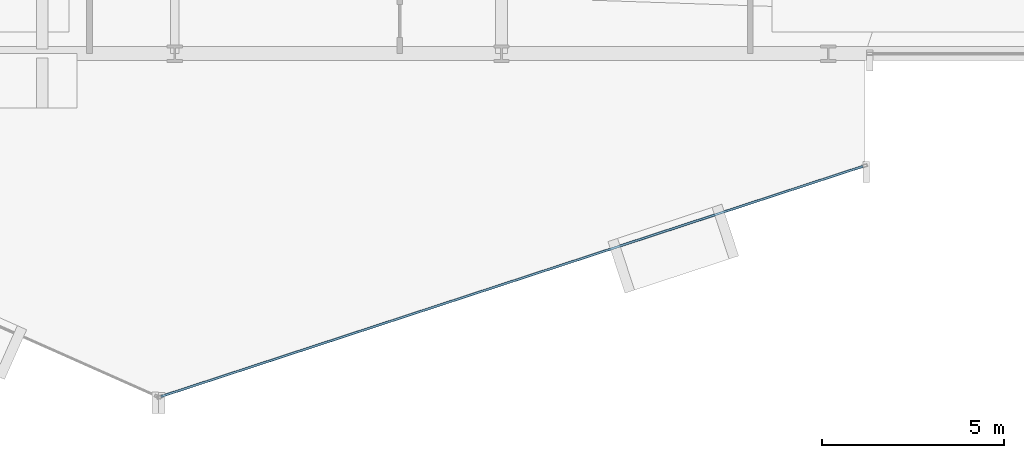
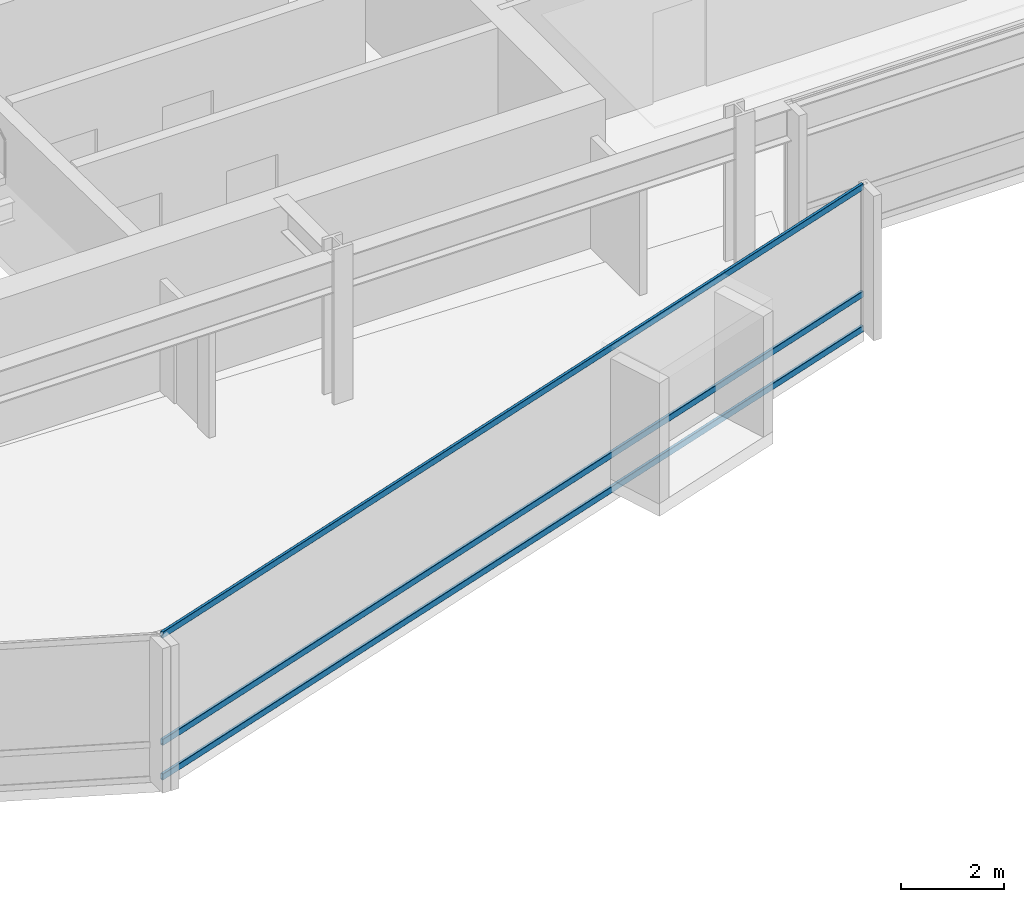
# One storey, part 9 of 34: 3 members, 1 element without a shape of its own.
"""IFC4 building model written with IfcOpenShell, lengths in metres."""

import ifcopenshell
import ifcopenshell.guid

model = None  # the IFC model being written
_history = None  # IfcOwnerHistory: only IFC2X3 demands one
_inside = {}  # id of a spatial element -> (the spatial element, [elements in it])
_under = {}  # id of a project, library or spatial element -> (it, [spatial elements below it])
_declared = {}  # id of a project -> (the project, [libraries it declares])
_typed = {}  # id of a type object -> (the type object, [elements of that type])
_made_of = {}  # id of a material, layer set ... -> (it, [elements and type objects made of it])


def new_model(schema):
    """Start an empty IFC model of exactly this schema.

    Asked for "IFC4X3", IfcOpenShell would pick the latest addendum, in which some entities
    have other attributes; the version numbers below select the first issue.
    IFC2X3 requires an IfcOwnerHistory on every rooted entity: one is made here for all.
    """
    global model, _history
    if schema == "IFC4X3":
        model = ifcopenshell.file(schema_version=(4, 3, 0, 0))
    else:
        model = ifcopenshell.file(schema=schema)
    _inside.clear()
    _under.clear()
    _declared.clear()
    _typed.clear()
    _made_of.clear()
    _history = None
    if model.schema == "IFC2X3":
        org = make("IfcOrganization", Name="unknown")
        user = make(
            "IfcPersonAndOrganization",
            ThePerson=make("IfcPerson", FamilyName="unknown"),
            TheOrganization=org,
        )
        app = make(
            "IfcApplication",
            ApplicationDeveloper=org,
            Version="unknown",
            ApplicationFullName="unknown",
            ApplicationIdentifier="unknown",
        )
        _history = make(
            "IfcOwnerHistory",
            OwningUser=user,
            OwningApplication=app,
            ChangeAction="ADDED",
            CreationDate=0,
        )
    return model


def make(cls, **values):
    """One entity of the class cls with the attributes given. An attribute that is None is left unset."""
    return model.create_entity(
        cls, **{name: value for name, value in values.items() if value is not None}
    )


def rooted(cls, **values):
    """An entity with a GlobalId (a new one), such as an element, a storey or a relation."""
    return make(cls, GlobalId=ifcopenshell.guid.new(), OwnerHistory=_history, **values)


def si_unit(unit_type, name, prefix=None):
    """IfcSIUnit, for example si_unit("LENGTHUNIT", "METRE", prefix="MILLI")."""
    return make("IfcSIUnit", UnitType=unit_type, Prefix=prefix, Name=name)


def assignment(units):
    """IfcUnitAssignment: the units of a project."""
    return None if units is None else make("IfcUnitAssignment", Units=units)


def point(xyz):
    """IfcCartesianPoint."""
    return None if xyz is None else make("IfcCartesianPoint", Coordinates=xyz)


def direction(xyz):
    """IfcDirection."""
    return None if xyz is None else make("IfcDirection", DirectionRatios=xyz)


def frame(location, z_axis=None, x_axis=None):
    """IfcAxis2Placement3D, a coordinate frame: its origin and axes. An axis left out is left unset."""
    return make(
        "IfcAxis2Placement3D",
        Location=point(location),
        Axis=direction(z_axis),
        RefDirection=direction(x_axis),
    )


def frame_2d(location, x_axis=None):
    """IfcAxis2Placement2D, a coordinate frame in the plane: its origin and x axis."""
    return make(
        "IfcAxis2Placement2D", Location=point(location), RefDirection=direction(x_axis)
    )


def origin():
    """The frame at (0, 0, 0) with its axes left unset."""
    return frame((0.0, 0.0, 0.0))


def origin_2d():
    """The frame at (0, 0) in the plane with its x axis left unset."""
    return frame_2d((0.0, 0.0))


def place(relative_to, where):
    """IfcLocalPlacement: puts the frame where relative to a parent placement (None: the world)."""
    return make(
        "IfcLocalPlacement", PlacementRelTo=relative_to, RelativePlacement=where
    )


def context(
    kind, dimensions, precision=None, world=None, true_north=None, identifier=None
):
    """IfcGeometricRepresentationContext, for example the 3D "Model" context."""
    return make(
        "IfcGeometricRepresentationContext",
        ContextIdentifier=identifier,
        ContextType=kind,
        CoordinateSpaceDimension=dimensions,
        Precision=precision,
        WorldCoordinateSystem=world,
        TrueNorth=true_north,
    )


def subcontext(parent, identifier, kind, view, scale=None):
    """IfcGeometricRepresentationSubContext, for example "Body" below "Model"."""
    return make(
        "IfcGeometricRepresentationSubContext",
        ContextIdentifier=identifier,
        ContextType=kind,
        ParentContext=parent,
        TargetScale=scale,
        TargetView=view,
    )


def project(units=None, contexts=None):
    """IfcProject with its units and contexts."""
    return rooted(
        "IfcProject",
        Name="project",
        RepresentationContexts=contexts,
        UnitsInContext=assignment(units),
    )


def spatial(cls, under=None, at=None, **own):
    """A site, building, storey or space (cls), placed at a placement, below another one or the project."""
    s = rooted(cls, ObjectPlacement=at, **own)
    if under is not None:
        _under.setdefault(under.id(), (under, []))[1].append(s)
    return s


def profile(cls, at=None, kind="AREA", **sizes):
    """A parametric profile (cls). Its sizes go by their IFC names, for example OverallWidth=200.0."""
    return make(cls, ProfileType=kind, Position=at, **sizes)


def hollow_rectangle(**sizes):
    """IfcRectangleHollowProfileDef."""
    return profile("IfcRectangleHollowProfileDef", **sizes)


def extrude(swept, where, along, depth):
    """IfcExtrudedAreaSolid: the profile swept, set in the frame where, extruded along a direction by depth."""
    return make(
        "IfcExtrudedAreaSolid",
        SweptArea=swept,
        Position=where,
        ExtrudedDirection=direction(along),
        Depth=depth,
    )


def shape(context_of_items, identifier, shape_type, items):
    """IfcShapeRepresentation: the items that make up one representation, for example the "Body"."""
    return make(
        "IfcShapeRepresentation",
        ContextOfItems=context_of_items,
        RepresentationIdentifier=identifier,
        RepresentationType=shape_type,
        Items=items,
    )


def material(Name=None, Category=None):
    """IfcMaterial."""
    return make("IfcMaterial", Name=Name, Category=Category)


def layer(
    of_material, thickness, ventilated=None, Name=None, Category=None, Priority=None
):
    """IfcMaterialLayer: one layer of a wall or slab, of a material (None: an air gap)."""
    return make(
        "IfcMaterialLayer",
        Material=of_material,
        LayerThickness=thickness,
        IsVentilated=ventilated,
        Name=Name,
        Category=Category,
        Priority=Priority,
    )


def layer_set(layers, Name=None):
    """IfcMaterialLayerSet."""
    return make("IfcMaterialLayerSet", MaterialLayers=layers, LayerSetName=Name)


def material_profile(
    of_material, cross_section, Name=None, Category=None, Priority=None
):
    """IfcMaterialProfile: a cross section and its material."""
    return make(
        "IfcMaterialProfile",
        Name=Name,
        Material=of_material,
        Profile=cross_section,
        Priority=Priority,
        Category=Category,
    )


def profile_set(profiles, Name=None, composite=None):
    """IfcMaterialProfileSet."""
    return make(
        "IfcMaterialProfileSet",
        Name=Name,
        MaterialProfiles=profiles,
        CompositeProfile=composite,
    )


def made_of(thing, what):
    """Note that an element or type object is made of a material, layer set ...; save() writes the relation."""
    if what is not None:
        _made_of.setdefault(what.id(), (what, []))[1].append(thing)
    return thing


def type_object(cls, material=None, **own):
    """A type object (cls), such as IfcWallType, which elements share."""
    return made_of(rooted(cls, **own), material)


def element(
    cls,
    number,
    at=None,
    inside=None,
    cuts=None,
    type_object=None,
    material=None,
    context=None,
    identifier="Body",
    shape_type=None,
    held_by="IfcProductDefinitionShape",
    body=None,
    shapes=None,
    **own,
):
    """One element of the class cls, such as IfcWall. Its Tag is "e" and its number.

    at: its placement. inside: the storey or other place that contains it. cuts: it is an
    opening in that element (IfcRelVoidsElement). A single representation is given by context,
    identifier, shape_type and body (its items); several are given by shapes. held_by: the class
    of the entity that holds the representations. save() writes the other relations.
    """
    e = rooted(cls, Tag="e%d" % number, ObjectPlacement=at, **own)
    if body is not None:
        shapes = [shape(context, identifier, shape_type, body)]
    if shapes is not None:
        e.Representation = make(held_by, Representations=shapes)
    if inside is not None:
        _inside.setdefault(inside.id(), (inside, []))[1].append(e)
    if cuts is not None:
        rooted(
            "IfcRelVoidsElement", RelatingBuildingElement=cuts, RelatedOpeningElement=e
        )
    if type_object is not None:
        _typed.setdefault(type_object.id(), (type_object, []))[1].append(e)
    return made_of(e, material)


def aggregate(whole, parts):
    """IfcRelAggregates: a whole, such as a stair, and the parts it consists of."""
    return rooted("IfcRelAggregates", RelatingObject=whole, RelatedObjects=parts)


def save(model, path):
    """Write the relations noted so far, then the file.

    IfcRelAggregates (storeys below a building ...), IfcRelContainedInSpatialStructure (elements
    in a storey), IfcRelDefinesByType, IfcRelAssociatesMaterial and IfcRelDeclares: one each for
    every whole, place, type object, material and project.
    """
    for whole, parts in _under.values():
        aggregate(whole, parts)
    for where, things in _inside.values():
        rooted(
            "IfcRelContainedInSpatialStructure",
            RelatedElements=things,
            RelatingStructure=where,
        )
    for kind, things in _typed.values():
        rooted("IfcRelDefinesByType", RelatedObjects=things, RelatingType=kind)
    for what, things in _made_of.values():
        rooted("IfcRelAssociatesMaterial", RelatedObjects=things, RelatingMaterial=what)
    for by, libraries in _declared.values():
        rooted("IfcRelDeclares", RelatingContext=by, RelatedDefinitions=libraries)
    model.write(path)


model = new_model("IFC4")

# Units and contexts
model_context = context("Model", 3, precision=1e-05, world=origin(), true_north=direction((0.0, 1.0)))
body_context = subcontext(model_context, "Body", "Model", "MODEL_VIEW")
ifc_project = project(units=[si_unit("LENGTHUNIT", "METRE"), si_unit("AREAUNIT", "SQUARE_METRE"), si_unit("VOLUMEUNIT", "CUBIC_METRE"), si_unit("PLANEANGLEUNIT", "RADIAN"), si_unit("MASSUNIT", "GRAM", prefix="KILO")], contexts=[model_context])

# Site, building, storey
site_placement = place(None, origin())
site = spatial("IfcSite", under=ifc_project, at=site_placement, CompositionType="ELEMENT")
building_placement = place(site_placement, origin())
building = spatial("IfcBuilding", under=site, at=building_placement, Name="Solvaryn Broadcast Tower", CompositionType="ELEMENT")
storey_placement = place(building_placement, frame((0.0, 0.0, 69.300048828125)))
storey = spatial("IfcBuildingStorey", under=building, at=storey_placement, Name="L16", CompositionType="ELEMENT", Elevation=69.300048828125)

# Curtain wall, members
ifc_material_1 = material(Name="Aluminium and Terracotta Unitised Curtain Wall", Category="masonry")
ifc_layer = layer(ifc_material_1, 0.199951171875)
ifc_layer_set = layer_set([ifc_layer], Name="CW-SYS2-LOWMID")
curtain_wall_type = type_object("IfcCurtainWallType", Name="CW-SYS2-LOWMID", PredefinedType="NOTDEFINED", material=ifc_layer_set)
curtain_wall_placement = place(storey_placement, origin())
curtain_wall = element("IfcCurtainWall", 1, at=curtain_wall_placement, inside=storey, type_object=curtain_wall_type, Name="L16 Curtain Wall DR4", PredefinedType="NOTDEFINED")
ifc_material_2 = material(Name="Anodised Aluminium 6063-T6", Category="aluminium")
ifc_material_profile = material_profile(ifc_material_2, hollow_rectangle(XDim=0.06494140625, YDim=0.14990234375, WallThickness=0.00390625, InnerFilletRadius=0.00390625, OuterFilletRadius=0.008056640625, at=origin_2d()))
ifc_profile_set = profile_set([ifc_material_profile], Name="Anodised Aluminium 6063-T6")
member_type = type_object("IfcMemberType", Name="CW-TRN-150", PredefinedType="USERDEFINED", material=ifc_profile_set)
member_1_placement = place(storey_placement, frame((26.616943359375, -0.4453125, 0.030029296875), z_axis=(0.950216792475, 0.311589549406, 0.0), x_axis=(-0.311589549406, 0.950216792475, 0.0)))
member_1 = element("IfcMember", 2, at=member_1_placement, type_object=member_type, Name="CWS2 transom 1.1", ObjectType="TRANSOM", PredefinedType="USERDEFINED", context=body_context, shape_type="SweptSolid", body=[
    extrude(hollow_rectangle(XDim=0.06494140625, YDim=0.14990234375, WallThickness=0.00390625, InnerFilletRadius=0.00390625, OuterFilletRadius=0.008056640625, at=origin_2d()), origin(), (0.0, 0.0, 1.0), 20.35546875),
])
member_2_placement = place(storey_placement, frame((26.616943359375, -0.4453125, 0.849853515625), z_axis=(0.950216792475, 0.311589549406, 0.0), x_axis=(-0.311589549406, 0.950216792475, 0.0)))
member_2 = element("IfcMember", 3, at=member_2_placement, type_object=member_type, Name="CWS2 transom 1.2", ObjectType="TRANSOM", PredefinedType="USERDEFINED", context=body_context, shape_type="SweptSolid", body=[
    extrude(hollow_rectangle(XDim=0.06494140625, YDim=0.14990234375, WallThickness=0.00390625, InnerFilletRadius=0.00390625, OuterFilletRadius=0.008056640625, at=origin_2d()), origin(), (0.0, 0.0, 1.0), 20.35546875),
])
member_3_placement = place(storey_placement, frame((26.616943359375, -0.4453125, 3.389892578125), z_axis=(0.950216792475, 0.311589549406, 0.0), x_axis=(-0.311589549406, 0.950216792475, 0.0)))
member_3 = element("IfcMember", 4, at=member_3_placement, type_object=member_type, Name="CWS2 transom 1.3", ObjectType="TRANSOM", PredefinedType="USERDEFINED", context=body_context, shape_type="SweptSolid", body=[
    extrude(hollow_rectangle(XDim=0.06494140625, YDim=0.14990234375, WallThickness=0.00390625, InnerFilletRadius=0.00390625, OuterFilletRadius=0.008056640625, at=origin_2d()), origin(), (0.0, 0.0, 1.0), 20.35546875),
])
aggregate(curtain_wall, [member_1, member_2, member_3])

save(model, "model.ifc")
